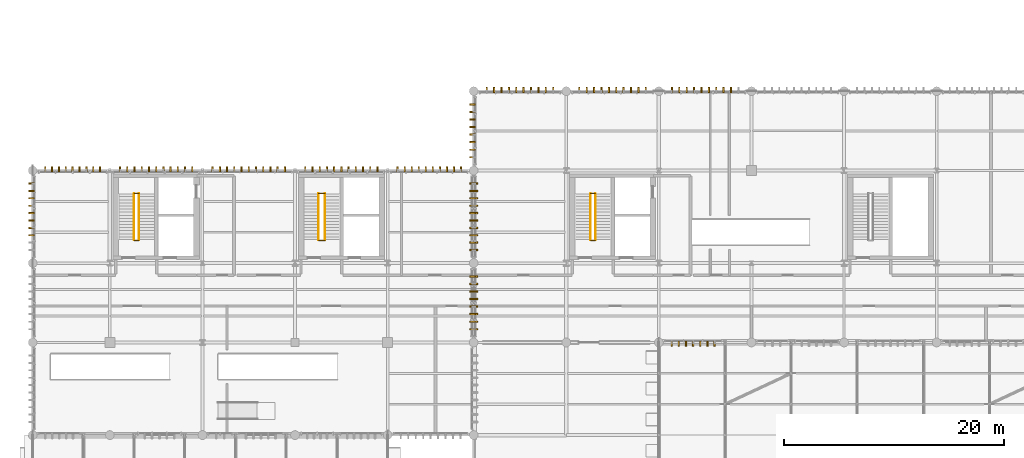
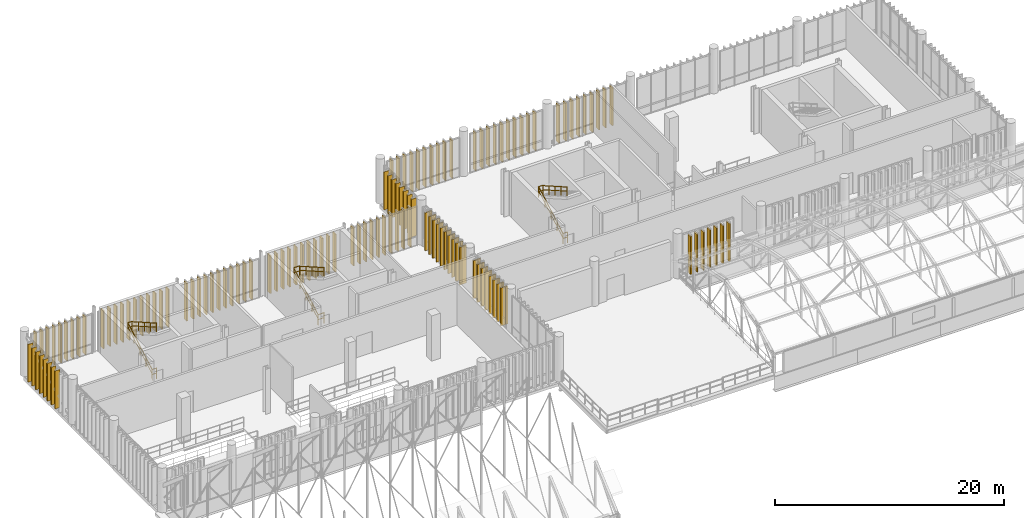
# One storey, part 102 of 109: 140 coverings, 12 railings.
"""IFC4 building model written with IfcOpenShell, lengths in metres."""

from ifc_helpers import new_model, si_unit, direction, frame, frame_2d, origin_with_axes, origin_2d_with_axis, place, context, subcontext, project, spatial, rectangle, circle, extrude, material, type_object, element, save


model = new_model("IFC4")

# Units and contexts
model_context = context("Model", 3, precision=1e-05, world=origin_with_axes(), true_north=direction((0.0, 1.0)))
body_context = subcontext(model_context, "Body", "Model", "MODEL_VIEW")
ifc_project = project(units=[si_unit("LENGTHUNIT", "METRE"), si_unit("AREAUNIT", "SQUARE_METRE"), si_unit("VOLUMEUNIT", "CUBIC_METRE"), si_unit("PLANEANGLEUNIT", "RADIAN"), si_unit("MASSUNIT", "GRAM", prefix="KILO"), si_unit("THERMODYNAMICTEMPERATUREUNIT", "KELVIN")], contexts=[model_context])

# Site, building, storey
site_placement = place(None, origin_with_axes())
site = spatial("IfcSite", under=ifc_project, at=site_placement, CompositionType="ELEMENT")
building_placement = place(site_placement, origin_with_axes())
building = spatial("IfcBuilding", under=site, at=building_placement, Name="Montbau Bow Law Courts", CompositionType="ELEMENT")
storey_placement = place(building_placement, frame((0.0, 0.0, 10.8), z_axis=(0.0, 0.0, 1.0), x_axis=(1.0, 0.0, 0.0)))
storey = spatial("IfcBuildingStorey", under=building, at=storey_placement, Name="L02", CompositionType="ELEMENT", Elevation=10.8)

# Coverings
ifc_material_1 = material(Name="Freeze-Thaw Glazed Warm Cream Ceramic Vertical Louvre", Category="masonry")
covering_type_1 = type_object("IfcCoveringType", Name="CV-LVR-CRM", PredefinedType="CLADDING", material=ifc_material_1)
for number, where, z_axis, x_axis, name in (
    (1, (64.764, 39.13, 10.8), (-1.0, 0.0, 0.0), (0.0, -1.0, 0.0), "CLV-L02-1417:cov_1462"),
    (2, (65.412, 39.13, 10.8), (-1.0, 0.0, 0.0), (0.0, -1.0, 0.0), "CLV-L02-1418:cov_1463"),
    (3, (66.061, 39.13, 10.8), (-1.0, 0.0, 0.0), (0.0, -1.0, 0.0), "CLV-L02-1419:cov_1464"),
    (4, (66.709, 39.13, 10.8), (-1.0, 0.0, 0.0), (0.0, -1.0, 0.0), "CLV-L02-1420:cov_1465"),
    (5, (67.358, 39.13, 10.8), (-1.0, 0.0, 0.0), (0.0, -1.0, 0.0), "CLV-L02-1421:cov_1466"),
    (6, (68.006, 39.13, 10.8), (-1.0, 0.0, 0.0), (0.0, -1.0, 0.0), "CLV-L02-1422:cov_1467"),
    (7, (68.655, 39.13, 10.8), (-1.0, 0.0, 0.0), (0.0, -1.0, 0.0), "CLV-L02-1423:cov_1468"),
    (8, (47.985, 61.67, 10.8), (1.0, 0.0, 0.0), (0.0, 1.0, 0.0), "CLV-L02-1447:cov_1492"),
    (9, (48.655, 61.67, 10.8), (1.0, 0.0, 0.0), (0.0, 1.0, 0.0), "CLV-L02-1448:cov_1493"),
    (10, (49.325, 61.67, 10.8), (1.0, 0.0, 0.0), (0.0, 1.0, 0.0), "CLV-L02-1449:cov_1494"),
    (11, (49.995, 61.67, 10.8), (1.0, 0.0, 0.0), (0.0, 1.0, 0.0), "CLV-L02-1450:cov_1495"),
    (12, (50.665, 61.67, 10.8), (1.0, 0.0, 0.0), (0.0, 1.0, 0.0), "CLV-L02-1451:cov_1496"),
    (13, (51.335, 61.67, 10.8), (1.0, 0.0, 0.0), (0.0, 1.0, 0.0), "CLV-L02-1452:cov_1497"),
    (14, (52.005, 61.67, 10.8), (1.0, 0.0, 0.0), (0.0, 1.0, 0.0), "CLV-L02-1453:cov_1498"),
    (15, (52.675, 61.67, 10.8), (1.0, 0.0, 0.0), (0.0, 1.0, 0.0), "CLV-L02-1454:cov_1499"),
    (16, (53.345, 61.67, 10.8), (1.0, 0.0, 0.0), (0.0, 1.0, 0.0), "CLV-L02-1455:cov_1500"),
    (17, (54.015, 61.67, 10.8), (1.0, 0.0, 0.0), (0.0, 1.0, 0.0), "CLV-L02-1456:cov_1501"),
    (18, (56.385, 61.67, 10.8), (1.0, 0.0, 0.0), (0.0, 1.0, 0.0), "CLV-L02-1457:cov_1502"),
    (19, (57.055, 61.67, 10.8), (1.0, 0.0, 0.0), (0.0, 1.0, 0.0), "CLV-L02-1458:cov_1503"),
    (20, (57.725, 61.67, 10.8), (1.0, 0.0, 0.0), (0.0, 1.0, 0.0), "CLV-L02-1459:cov_1504"),
    (21, (58.395, 61.67, 10.8), (1.0, 0.0, 0.0), (0.0, 1.0, 0.0), "CLV-L02-1460:cov_1505"),
    (22, (59.065, 61.67, 10.8), (1.0, 0.0, 0.0), (0.0, 1.0, 0.0), "CLV-L02-1461:cov_1506"),
    (23, (59.735, 61.67, 10.8), (1.0, 0.0, 0.0), (0.0, 1.0, 0.0), "CLV-L02-1462:cov_1507"),
    (24, (60.405, 61.67, 10.8), (1.0, 0.0, 0.0), (0.0, 1.0, 0.0), "CLV-L02-1463:cov_1508"),
    (25, (61.075, 61.67, 10.8), (1.0, 0.0, 0.0), (0.0, 1.0, 0.0), "CLV-L02-1464:cov_1509"),
    (26, (61.745, 61.67, 10.8), (1.0, 0.0, 0.0), (0.0, 1.0, 0.0), "CLV-L02-1465:cov_1510"),
    (27, (62.415, 61.67, 10.8), (1.0, 0.0, 0.0), (0.0, 1.0, 0.0), "CLV-L02-1466:cov_1511"),
    (28, (64.785, 61.67, 10.8), (1.0, 0.0, 0.0), (0.0, 1.0, 0.0), "CLV-L02-1467:cov_1512"),
    (29, (65.455, 61.67, 10.8), (1.0, 0.0, 0.0), (0.0, 1.0, 0.0), "CLV-L02-1468:cov_1513"),
    (30, (66.125, 61.67, 10.8), (1.0, 0.0, 0.0), (0.0, 1.0, 0.0), "CLV-L02-1469:cov_1514"),
    (31, (66.795, 61.67, 10.8), (1.0, 0.0, 0.0), (0.0, 1.0, 0.0), "CLV-L02-1470:cov_1515"),
    (32, (67.465, 61.67, 10.8), (1.0, 0.0, 0.0), (0.0, 1.0, 0.0), "CLV-L02-1471:cov_1516"),
    (33, (68.135, 61.67, 10.8), (1.0, 0.0, 0.0), (0.0, 1.0, 0.0), "CLV-L02-1472:cov_1517"),
    (34, (68.805, 61.67, 10.8), (1.0, 0.0, 0.0), (0.0, 1.0, 0.0), "CLV-L02-1473:cov_1518"),
    (35, (69.475, 61.67, 10.8), (1.0, 0.0, 0.0), (0.0, 1.0, 0.0), "CLV-L02-1474:cov_1519"),
    (36, (70.145, 61.67, 10.8), (1.0, 0.0, 0.0), (0.0, 1.0, 0.0), "CLV-L02-1475:cov_1520"),
    (37, (46.93, 40.201, 10.8), (0.0, 1.0, 0.0), (-1.0, 0.0, 0.0), "CLV-L02-1507:cov_1552"),
    (38, (46.93, 40.886, 10.8), (0.0, 1.0, 0.0), (-1.0, 0.0, 0.0), "CLV-L02-1508:cov_1553"),
    (39, (46.93, 41.572, 10.8), (0.0, 1.0, 0.0), (-1.0, 0.0, 0.0), "CLV-L02-1509:cov_1554"),
    (40, (46.93, 42.257, 10.8), (0.0, 1.0, 0.0), (-1.0, 0.0, 0.0), "CLV-L02-1510:cov_1555"),
    (41, (46.93, 42.943, 10.8), (0.0, 1.0, 0.0), (-1.0, 0.0, 0.0), "CLV-L02-1511:cov_1556"),
    (42, (46.93, 43.628, 10.8), (0.0, 1.0, 0.0), (-1.0, 0.0, 0.0), "CLV-L02-1512:cov_1557"),
    (43, (46.93, 44.314, 10.8), (0.0, 1.0, 0.0), (-1.0, 0.0, 0.0), "CLV-L02-1513:cov_1558"),
    (44, (46.93, 44.999, 10.8), (0.0, 1.0, 0.0), (-1.0, 0.0, 0.0), "CLV-L02-1514:cov_1559"),
    (45, (46.93, 47.385, 10.8), (0.0, 1.0, 0.0), (-1.0, 0.0, 0.0), "CLV-L02-1515:cov_1560"),
    (46, (46.93, 48.055, 10.8), (0.0, 1.0, 0.0), (-1.0, 0.0, 0.0), "CLV-L02-1516:cov_1561"),
    (47, (46.93, 48.725, 10.8), (0.0, 1.0, 0.0), (-1.0, 0.0, 0.0), "CLV-L02-1517:cov_1562"),
    (48, (46.93, 49.395, 10.8), (0.0, 1.0, 0.0), (-1.0, 0.0, 0.0), "CLV-L02-1518:cov_1563"),
    (49, (46.93, 50.065, 10.8), (0.0, 1.0, 0.0), (-1.0, 0.0, 0.0), "CLV-L02-1519:cov_1564"),
    (50, (46.93, 50.735, 10.8), (0.0, 1.0, 0.0), (-1.0, 0.0, 0.0), "CLV-L02-1520:cov_1565"),
    (51, (46.93, 51.405, 10.8), (0.0, 1.0, 0.0), (-1.0, 0.0, 0.0), "CLV-L02-1521:cov_1566"),
    (52, (46.93, 52.075, 10.8), (0.0, 1.0, 0.0), (-1.0, 0.0, 0.0), "CLV-L02-1522:cov_1567"),
    (53, (46.93, 52.745, 10.8), (0.0, 1.0, 0.0), (-1.0, 0.0, 0.0), "CLV-L02-1523:cov_1568"),
    (54, (46.93, 53.415, 10.8), (0.0, 1.0, 0.0), (-1.0, 0.0, 0.0), "CLV-L02-1524:cov_1569"),
    (55, (46.93, 55.801, 10.8), (0.0, 1.0, 0.0), (-1.0, 0.0, 0.0), "CLV-L02-1525:cov_1570"),
    (56, (46.93, 56.486, 10.8), (0.0, 1.0, 0.0), (-1.0, 0.0, 0.0), "CLV-L02-1526:cov_1571"),
    (57, (46.93, 57.172, 10.8), (0.0, 1.0, 0.0), (-1.0, 0.0, 0.0), "CLV-L02-1527:cov_1572"),
    (58, (46.93, 57.857, 10.8), (0.0, 1.0, 0.0), (-1.0, 0.0, 0.0), "CLV-L02-1528:cov_1573"),
    (59, (46.93, 58.543, 10.8), (0.0, 1.0, 0.0), (-1.0, 0.0, 0.0), "CLV-L02-1529:cov_1574"),
    (60, (46.93, 59.228, 10.8), (0.0, 1.0, 0.0), (-1.0, 0.0, 0.0), "CLV-L02-1530:cov_1575"),
    (61, (46.93, 59.914, 10.8), (0.0, 1.0, 0.0), (-1.0, 0.0, 0.0), "CLV-L02-1531:cov_1576"),
    (62, (46.93, 60.599, 10.8), (0.0, 1.0, 0.0), (-1.0, 0.0, 0.0), "CLV-L02-1532:cov_1577"),
):
    element("IfcCovering", number, at=place(None, frame(where, z_axis=z_axis, x_axis=x_axis)), inside=storey, type_object=covering_type_1, Name=name, PredefinedType="CLADDING", context=body_context, shape_type="SweptSolid", body=[
        extrude(rectangle(XDim=0.48, YDim=4.04, at=frame_2d((0.24, 2.02), x_axis=(1.0, 0.0))), frame((0.0, 0.0, -0.06), z_axis=(0.0, 0.0, 1.0), x_axis=(1.0, 0.0, 0.0)), (0.0, 0.0, 1.0), 0.12),
    ])
ifc_material_2 = material(Name="Freeze-Thaw Glazed Terracotta-Red Ceramic Vertical Louvre", Category="masonry")
covering_type_2 = type_object("IfcCoveringType", Name="CV-LVR-RED", PredefinedType="CLADDING", material=ifc_material_2)
for number, where, z_axis, x_axis, name in (
    (63, (7.937, 54.47, 10.8), (1.0, 0.0, 0.0), (0.0, 1.0, 0.0), "CLV-L02-0345:cov_0390"),
    (64, (8.559, 54.47, 10.8), (1.0, 0.0, 0.0), (0.0, 1.0, 0.0), "CLV-L02-0346:cov_0391"),
    (65, (9.18, 54.47, 10.8), (1.0, 0.0, 0.0), (0.0, 1.0, 0.0), "CLV-L02-0347:cov_0392"),
    (66, (9.802, 54.47, 10.8), (1.0, 0.0, 0.0), (0.0, 1.0, 0.0), "CLV-L02-0348:cov_0393"),
    (67, (10.424, 54.47, 10.8), (1.0, 0.0, 0.0), (0.0, 1.0, 0.0), "CLV-L02-0349:cov_0394"),
    (68, (11.046, 54.47, 10.8), (1.0, 0.0, 0.0), (0.0, 1.0, 0.0), "CLV-L02-0350:cov_0395"),
    (69, (11.668, 54.47, 10.8), (1.0, 0.0, 0.0), (0.0, 1.0, 0.0), "CLV-L02-0351:cov_0396"),
    (70, (12.289, 54.47, 10.8), (1.0, 0.0, 0.0), (0.0, 1.0, 0.0), "CLV-L02-0352:cov_0397"),
    (71, (12.911, 54.47, 10.8), (1.0, 0.0, 0.0), (0.0, 1.0, 0.0), "CLV-L02-0353:cov_0398"),
    (72, (14.723, 54.47, 10.8), (1.0, 0.0, 0.0), (0.0, 1.0, 0.0), "CLV-L02-0354:cov_0399"),
    (73, (15.379, 54.47, 10.8), (1.0, 0.0, 0.0), (0.0, 1.0, 0.0), "CLV-L02-0355:cov_0400"),
    (74, (16.034, 54.47, 10.8), (1.0, 0.0, 0.0), (0.0, 1.0, 0.0), "CLV-L02-0356:cov_0401"),
    (75, (16.69, 54.47, 10.8), (1.0, 0.0, 0.0), (0.0, 1.0, 0.0), "CLV-L02-0357:cov_0402"),
    (76, (17.345, 54.47, 10.8), (1.0, 0.0, 0.0), (0.0, 1.0, 0.0), "CLV-L02-0358:cov_0403"),
    (77, (18.001, 54.47, 10.8), (1.0, 0.0, 0.0), (0.0, 1.0, 0.0), "CLV-L02-0359:cov_0404"),
    (78, (18.656, 54.47, 10.8), (1.0, 0.0, 0.0), (0.0, 1.0, 0.0), "CLV-L02-0360:cov_0405"),
    (79, (19.311, 54.47, 10.8), (1.0, 0.0, 0.0), (0.0, 1.0, 0.0), "CLV-L02-0361:cov_0406"),
    (80, (19.967, 54.47, 10.8), (1.0, 0.0, 0.0), (0.0, 1.0, 0.0), "CLV-L02-0362:cov_0407"),
    (81, (20.622, 54.47, 10.8), (1.0, 0.0, 0.0), (0.0, 1.0, 0.0), "CLV-L02-0363:cov_0408"),
    (82, (21.278, 54.47, 10.8), (1.0, 0.0, 0.0), (0.0, 1.0, 0.0), "CLV-L02-0364:cov_0409"),
    (83, (23.122, 54.47, 10.8), (1.0, 0.0, 0.0), (0.0, 1.0, 0.0), "CLV-L02-0365:cov_0410"),
    (84, (23.778, 54.47, 10.8), (1.0, 0.0, 0.0), (0.0, 1.0, 0.0), "CLV-L02-0366:cov_0411"),
    (85, (24.433, 54.47, 10.8), (1.0, 0.0, 0.0), (0.0, 1.0, 0.0), "CLV-L02-0367:cov_0412"),
    (86, (25.089, 54.47, 10.8), (1.0, 0.0, 0.0), (0.0, 1.0, 0.0), "CLV-L02-0368:cov_0413"),
    (87, (25.744, 54.47, 10.8), (1.0, 0.0, 0.0), (0.0, 1.0, 0.0), "CLV-L02-0369:cov_0414"),
    (88, (26.4, 54.47, 10.8), (1.0, 0.0, 0.0), (0.0, 1.0, 0.0), "CLV-L02-0370:cov_0415"),
    (89, (27.055, 54.47, 10.8), (1.0, 0.0, 0.0), (0.0, 1.0, 0.0), "CLV-L02-0371:cov_0416"),
    (90, (27.711, 54.47, 10.8), (1.0, 0.0, 0.0), (0.0, 1.0, 0.0), "CLV-L02-0372:cov_0417"),
    (91, (28.366, 54.47, 10.8), (1.0, 0.0, 0.0), (0.0, 1.0, 0.0), "CLV-L02-0373:cov_0418"),
    (92, (29.022, 54.47, 10.8), (1.0, 0.0, 0.0), (0.0, 1.0, 0.0), "CLV-L02-0374:cov_0419"),
    (93, (29.677, 54.47, 10.8), (1.0, 0.0, 0.0), (0.0, 1.0, 0.0), "CLV-L02-0375:cov_0420"),
    (94, (31.522, 54.47, 10.8), (1.0, 0.0, 0.0), (0.0, 1.0, 0.0), "CLV-L02-0376:cov_0421"),
    (95, (32.178, 54.47, 10.8), (1.0, 0.0, 0.0), (0.0, 1.0, 0.0), "CLV-L02-0377:cov_0422"),
    (96, (32.833, 54.47, 10.8), (1.0, 0.0, 0.0), (0.0, 1.0, 0.0), "CLV-L02-0378:cov_0423"),
    (97, (33.489, 54.47, 10.8), (1.0, 0.0, 0.0), (0.0, 1.0, 0.0), "CLV-L02-0379:cov_0424"),
    (98, (34.144, 54.47, 10.8), (1.0, 0.0, 0.0), (0.0, 1.0, 0.0), "CLV-L02-0380:cov_0425"),
    (99, (34.799, 54.47, 10.8), (1.0, 0.0, 0.0), (0.0, 1.0, 0.0), "CLV-L02-0381:cov_0426"),
    (100, (35.455, 54.47, 10.8), (1.0, 0.0, 0.0), (0.0, 1.0, 0.0), "CLV-L02-0382:cov_0427"),
    (101, (36.11, 54.47, 10.8), (1.0, 0.0, 0.0), (0.0, 1.0, 0.0), "CLV-L02-0383:cov_0428"),
    (102, (36.766, 54.47, 10.8), (1.0, 0.0, 0.0), (0.0, 1.0, 0.0), "CLV-L02-0384:cov_0429"),
    (103, (37.421, 54.47, 10.8), (1.0, 0.0, 0.0), (0.0, 1.0, 0.0), "CLV-L02-0385:cov_0430"),
    (104, (38.077, 54.47, 10.8), (1.0, 0.0, 0.0), (0.0, 1.0, 0.0), "CLV-L02-0386:cov_0431"),
    (105, (39.906, 54.47, 10.8), (1.0, 0.0, 0.0), (0.0, 1.0, 0.0), "CLV-L02-0387:cov_0432"),
    (106, (40.544, 54.47, 10.8), (1.0, 0.0, 0.0), (0.0, 1.0, 0.0), "CLV-L02-0388:cov_0433"),
    (107, (41.182, 54.47, 10.8), (1.0, 0.0, 0.0), (0.0, 1.0, 0.0), "CLV-L02-0389:cov_0434"),
    (108, (41.82, 54.47, 10.8), (1.0, 0.0, 0.0), (0.0, 1.0, 0.0), "CLV-L02-0390:cov_0435"),
    (109, (42.458, 54.47, 10.8), (1.0, 0.0, 0.0), (0.0, 1.0, 0.0), "CLV-L02-0391:cov_0436"),
    (110, (43.095, 54.47, 10.8), (1.0, 0.0, 0.0), (0.0, 1.0, 0.0), "CLV-L02-0392:cov_0437"),
    (111, (43.733, 54.47, 10.8), (1.0, 0.0, 0.0), (0.0, 1.0, 0.0), "CLV-L02-0393:cov_0438"),
    (112, (44.371, 54.47, 10.8), (1.0, 0.0, 0.0), (0.0, 1.0, 0.0), "CLV-L02-0394:cov_0439"),
    (113, (45.009, 54.47, 10.8), (1.0, 0.0, 0.0), (0.0, 1.0, 0.0), "CLV-L02-0395:cov_0440"),
    (114, (45.647, 54.47, 10.8), (1.0, 0.0, 0.0), (0.0, 1.0, 0.0), "CLV-L02-0396:cov_0441"),
    (115, (6.93, 48.725, 10.8), (0.0, 1.0, 0.0), (-1.0, 0.0, 0.0), "CLV-L02-0417:cov_0462"),
    (116, (6.93, 49.395, 10.8), (0.0, 1.0, 0.0), (-1.0, 0.0, 0.0), "CLV-L02-0418:cov_0463"),
    (117, (6.93, 50.065, 10.8), (0.0, 1.0, 0.0), (-1.0, 0.0, 0.0), "CLV-L02-0419:cov_0464"),
    (118, (6.93, 50.735, 10.8), (0.0, 1.0, 0.0), (-1.0, 0.0, 0.0), "CLV-L02-0420:cov_0465"),
    (119, (6.93, 51.405, 10.8), (0.0, 1.0, 0.0), (-1.0, 0.0, 0.0), "CLV-L02-0421:cov_0466"),
    (120, (6.93, 52.075, 10.8), (0.0, 1.0, 0.0), (-1.0, 0.0, 0.0), "CLV-L02-0422:cov_0467"),
    (121, (6.93, 52.745, 10.8), (0.0, 1.0, 0.0), (-1.0, 0.0, 0.0), "CLV-L02-0423:cov_0468"),
    (122, (6.93, 53.415, 10.8), (0.0, 1.0, 0.0), (-1.0, 0.0, 0.0), "CLV-L02-0424:cov_0469"),
    (123, (46.67, 40.201, 10.8), (0.0, -1.0, 0.0), (1.0, 0.0, 0.0), "CLV-L02-0435:cov_0480"),
    (124, (46.67, 40.886, 10.8), (0.0, -1.0, 0.0), (1.0, 0.0, 0.0), "CLV-L02-0436:cov_0481"),
    (125, (46.67, 41.572, 10.8), (0.0, -1.0, 0.0), (1.0, 0.0, 0.0), "CLV-L02-0437:cov_0482"),
    (126, (46.67, 42.257, 10.8), (0.0, -1.0, 0.0), (1.0, 0.0, 0.0), "CLV-L02-0438:cov_0483"),
    (127, (46.67, 42.943, 10.8), (0.0, -1.0, 0.0), (1.0, 0.0, 0.0), "CLV-L02-0439:cov_0484"),
    (128, (46.67, 43.628, 10.8), (0.0, -1.0, 0.0), (1.0, 0.0, 0.0), "CLV-L02-0440:cov_0485"),
    (129, (46.67, 44.314, 10.8), (0.0, -1.0, 0.0), (1.0, 0.0, 0.0), "CLV-L02-0441:cov_0486"),
    (130, (46.67, 44.999, 10.8), (0.0, -1.0, 0.0), (1.0, 0.0, 0.0), "CLV-L02-0442:cov_0487"),
    (131, (46.67, 47.385, 10.8), (0.0, -1.0, 0.0), (1.0, 0.0, 0.0), "CLV-L02-0443:cov_0488"),
    (132, (46.67, 48.055, 10.8), (0.0, -1.0, 0.0), (1.0, 0.0, 0.0), "CLV-L02-0444:cov_0489"),
    (133, (46.67, 48.725, 10.8), (0.0, -1.0, 0.0), (1.0, 0.0, 0.0), "CLV-L02-0445:cov_0490"),
    (134, (46.67, 49.395, 10.8), (0.0, -1.0, 0.0), (1.0, 0.0, 0.0), "CLV-L02-0446:cov_0491"),
    (135, (46.67, 50.065, 10.8), (0.0, -1.0, 0.0), (1.0, 0.0, 0.0), "CLV-L02-0447:cov_0492"),
    (136, (46.67, 50.735, 10.8), (0.0, -1.0, 0.0), (1.0, 0.0, 0.0), "CLV-L02-0448:cov_0493"),
    (137, (46.67, 51.405, 10.8), (0.0, -1.0, 0.0), (1.0, 0.0, 0.0), "CLV-L02-0449:cov_0494"),
    (138, (46.67, 52.075, 10.8), (0.0, -1.0, 0.0), (1.0, 0.0, 0.0), "CLV-L02-0450:cov_0495"),
    (139, (46.67, 52.745, 10.8), (0.0, -1.0, 0.0), (1.0, 0.0, 0.0), "CLV-L02-0451:cov_0496"),
    (140, (46.67, 53.415, 10.8), (0.0, -1.0, 0.0), (1.0, 0.0, 0.0), "CLV-L02-0452:cov_0497"),
):
    element("IfcCovering", number, at=place(None, frame(where, z_axis=z_axis, x_axis=x_axis)), inside=storey, type_object=covering_type_2, Name=name, PredefinedType="CLADDING", context=body_context, shape_type="SweptSolid", body=[
        extrude(rectangle(XDim=0.48, YDim=4.04, at=frame_2d((0.24, 2.02), x_axis=(1.0, 0.0))), frame((0.0, 0.0, -0.06), z_axis=(0.0, 0.0, 1.0), x_axis=(1.0, 0.0, 0.0)), (0.0, 0.0, 1.0), 0.12),
    ])

# Railings
ifc_material_3 = material(Name="Architectural Bronze-Finished Steel Stair Guard", Category="steel")
railing_type_1 = type_object("IfcRailingType", Name="RL-GRD-1100", PredefinedType="GUARDRAIL", material=ifc_material_3)
railing_1_placement = place(None, origin_with_axes())
element("IfcRailing", 141, at=railing_1_placement, inside=storey, type_object=railing_type_1, Name="SG-ST-P1-L02-ML:rlg_0044", PredefinedType="GUARDRAIL", context=body_context, shape_type="SweptSolid", body=[
    extrude(circle(Radius=0.0225, at=origin_2d_with_axis()), frame((16.01, 52.53, 14.302), z_axis=(1.0, 0.0, 0.0), x_axis=(0.0, 0.0, 1.0)), (0.0, 0.0, 1.0), 0.43),
    extrude(circle(Radius=0.02025, at=origin_2d_with_axis()), frame((16.01, 52.53, 13.772), z_axis=(1.0, 0.0, 0.0), x_axis=(0.0, 0.0, 1.0)), (0.0, 0.0, 1.0), 0.43),
    extrude(circle(Radius=0.02025, at=origin_2d_with_axis()), frame((16.01, 52.53, 13.2), z_axis=(0.0, 0.0, 1.0), x_axis=(1.0, 0.0, 0.0)), (0.0, 0.0, 1.0), 1.07525),
    extrude(circle(Radius=0.02025, at=origin_2d_with_axis()), frame((16.44, 52.53, 13.2), z_axis=(0.0, 0.0, 1.0), x_axis=(1.0, 0.0, 0.0)), (0.0, 0.0, 1.0), 1.07525),
])
railing_2_placement = place(None, origin_with_axes())
element("IfcRailing", 142, at=railing_2_placement, inside=storey, type_object=railing_type_1, Name="SG-ST-P1-L02-BL:rlg_0045", PredefinedType="GUARDRAIL", context=body_context, shape_type="SweptSolid", body=[
    extrude(circle(Radius=0.0225, at=origin_2d_with_axis()), frame((16.01, 48.27, 11.902), z_axis=(1.0, 0.0, 0.0), x_axis=(0.0, 0.0, 1.0)), (0.0, 0.0, 1.0), 0.43),
    extrude(circle(Radius=0.02025, at=origin_2d_with_axis()), frame((16.01, 48.27, 11.372), z_axis=(1.0, 0.0, 0.0), x_axis=(0.0, 0.0, 1.0)), (0.0, 0.0, 1.0), 0.43),
    extrude(circle(Radius=0.02025, at=origin_2d_with_axis()), frame((16.01, 48.27, 10.8), z_axis=(0.0, 0.0, 1.0), x_axis=(1.0, 0.0, 0.0)), (0.0, 0.0, 1.0), 1.07525),
    extrude(circle(Radius=0.02025, at=origin_2d_with_axis()), frame((16.44, 48.27, 10.8), z_axis=(0.0, 0.0, 1.0), x_axis=(1.0, 0.0, 0.0)), (0.0, 0.0, 1.0), 1.07525),
])
railing_3_placement = place(None, origin_with_axes())
element("IfcRailing", 143, at=railing_3_placement, inside=storey, type_object=railing_type_1, Name="SG-ST-J1-L02-ML:rlg_0076", PredefinedType="GUARDRAIL", context=body_context, shape_type="SweptSolid", body=[
    extrude(circle(Radius=0.0225, at=origin_2d_with_axis()), frame((32.73, 52.53, 14.302), z_axis=(1.0, 0.0, 0.0), x_axis=(0.0, 0.0, 1.0)), (0.0, 0.0, 1.0), 0.59),
    extrude(circle(Radius=0.02025, at=origin_2d_with_axis()), frame((32.73, 52.53, 13.772), z_axis=(1.0, 0.0, 0.0), x_axis=(0.0, 0.0, 1.0)), (0.0, 0.0, 1.0), 0.59),
    extrude(circle(Radius=0.02025, at=origin_2d_with_axis()), frame((32.73, 52.53, 13.2), z_axis=(0.0, 0.0, 1.0), x_axis=(1.0, 0.0, 0.0)), (0.0, 0.0, 1.0), 1.07525),
    extrude(circle(Radius=0.02025, at=origin_2d_with_axis()), frame((33.32, 52.53, 13.2), z_axis=(0.0, 0.0, 1.0), x_axis=(1.0, 0.0, 0.0)), (0.0, 0.0, 1.0), 1.07525),
])
railing_4_placement = place(None, origin_with_axes())
element("IfcRailing", 144, at=railing_4_placement, inside=storey, type_object=railing_type_1, Name="SG-ST-J1-L02-BL:rlg_0077", PredefinedType="GUARDRAIL", context=body_context, shape_type="SweptSolid", body=[
    extrude(circle(Radius=0.0225, at=origin_2d_with_axis()), frame((32.73, 48.27, 11.902), z_axis=(1.0, 0.0, 0.0), x_axis=(0.0, 0.0, 1.0)), (0.0, 0.0, 1.0), 0.59),
    extrude(circle(Radius=0.02025, at=origin_2d_with_axis()), frame((32.73, 48.27, 11.372), z_axis=(1.0, 0.0, 0.0), x_axis=(0.0, 0.0, 1.0)), (0.0, 0.0, 1.0), 0.59),
    extrude(circle(Radius=0.02025, at=origin_2d_with_axis()), frame((32.73, 48.27, 10.8), z_axis=(0.0, 0.0, 1.0), x_axis=(1.0, 0.0, 0.0)), (0.0, 0.0, 1.0), 1.07525),
    extrude(circle(Radius=0.02025, at=origin_2d_with_axis()), frame((33.32, 48.27, 10.8), z_axis=(0.0, 0.0, 1.0), x_axis=(1.0, 0.0, 0.0)), (0.0, 0.0, 1.0), 1.07525),
])
railing_5_placement = place(None, origin_with_axes())
element("IfcRailing", 145, at=railing_5_placement, inside=storey, type_object=railing_type_1, Name="SG-ST-P4-L02-ML:rlg_0108", PredefinedType="GUARDRAIL", context=body_context, shape_type="SweptSolid", body=[
    extrude(circle(Radius=0.0225, at=origin_2d_with_axis()), frame((57.41, 52.53, 14.302), z_axis=(1.0, 0.0, 0.0), x_axis=(0.0, 0.0, 1.0)), (0.0, 0.0, 1.0), 0.43),
    extrude(circle(Radius=0.02025, at=origin_2d_with_axis()), frame((57.41, 52.53, 13.772), z_axis=(1.0, 0.0, 0.0), x_axis=(0.0, 0.0, 1.0)), (0.0, 0.0, 1.0), 0.43),
    extrude(circle(Radius=0.02025, at=origin_2d_with_axis()), frame((57.41, 52.53, 13.2), z_axis=(0.0, 0.0, 1.0), x_axis=(1.0, 0.0, 0.0)), (0.0, 0.0, 1.0), 1.07525),
    extrude(circle(Radius=0.02025, at=origin_2d_with_axis()), frame((57.84, 52.53, 13.2), z_axis=(0.0, 0.0, 1.0), x_axis=(1.0, 0.0, 0.0)), (0.0, 0.0, 1.0), 1.07525),
])
railing_6_placement = place(None, origin_with_axes())
element("IfcRailing", 146, at=railing_6_placement, inside=storey, type_object=railing_type_1, Name="SG-ST-P4-L02-BL:rlg_0109", PredefinedType="GUARDRAIL", context=body_context, shape_type="SweptSolid", body=[
    extrude(circle(Radius=0.0225, at=origin_2d_with_axis()), frame((57.41, 48.27, 11.902), z_axis=(1.0, 0.0, 0.0), x_axis=(0.0, 0.0, 1.0)), (0.0, 0.0, 1.0), 0.43),
    extrude(circle(Radius=0.02025, at=origin_2d_with_axis()), frame((57.41, 48.27, 11.372), z_axis=(1.0, 0.0, 0.0), x_axis=(0.0, 0.0, 1.0)), (0.0, 0.0, 1.0), 0.43),
    extrude(circle(Radius=0.02025, at=origin_2d_with_axis()), frame((57.41, 48.27, 10.8), z_axis=(0.0, 0.0, 1.0), x_axis=(1.0, 0.0, 0.0)), (0.0, 0.0, 1.0), 1.07525),
    extrude(circle(Radius=0.02025, at=origin_2d_with_axis()), frame((57.84, 48.27, 10.8), z_axis=(0.0, 0.0, 1.0), x_axis=(1.0, 0.0, 0.0)), (0.0, 0.0, 1.0), 1.07525),
])
ifc_material_4 = material(Name="White-Oak and Stainless Continuous Stair Handrail", Category="steel")
railing_type_2 = type_object("IfcRailingType", Name="RL-HND-0920", PredefinedType="HANDRAIL", material=ifc_material_4)
railing_7_placement = place(None, origin_with_axes())
element("IfcRailing", 147, at=railing_7_placement, inside=storey, type_object=railing_type_2, Name="HR-ST-P1-L02-1:rlg_0046", PredefinedType="HANDRAIL", context=body_context, shape_type="SweptSolid", body=[
    extrude(circle(Radius=0.021, at=origin_2d_with_axis()), frame((16.01, 48.3, 11.882), z_axis=(0.0, 0.868243142, 0.496138938), x_axis=(0.0, -0.496138938, 0.868243142)), (0.0, 0.0, 1.0), 4.837355),
    extrude(circle(Radius=0.0189, at=origin_2d_with_axis()), frame((16.01, 48.3, 11.4384), z_axis=(0.0, 0.868243142, 0.496138938), x_axis=(0.0, -0.496138938, 0.868243142)), (0.0, 0.0, 1.0), 4.837355),
    extrude(circle(Radius=0.0189, at=origin_2d_with_axis()), frame((16.01, 48.3, 10.96), z_axis=(0.0, 0.0, 1.0), x_axis=(1.0, 0.0, 0.0)), (0.0, 0.0, 1.0), 0.8969),
    extrude(circle(Radius=0.0189, at=origin_2d_with_axis()), frame((16.01, 49.35, 11.56), z_axis=(0.0, 0.0, 1.0), x_axis=(1.0, 0.0, 0.0)), (0.0, 0.0, 1.0), 0.8969),
    extrude(circle(Radius=0.0189, at=origin_2d_with_axis()), frame((16.01, 50.4, 12.16), z_axis=(0.0, 0.0, 1.0), x_axis=(1.0, 0.0, 0.0)), (0.0, 0.0, 1.0), 0.8969),
    extrude(circle(Radius=0.0189, at=origin_2d_with_axis()), frame((16.01, 51.45, 12.76), z_axis=(0.0, 0.0, 1.0), x_axis=(1.0, 0.0, 0.0)), (0.0, 0.0, 1.0), 0.8969),
    extrude(circle(Radius=0.0189, at=origin_2d_with_axis()), frame((16.01, 52.5, 13.36), z_axis=(0.0, 0.0, 1.0), x_axis=(1.0, 0.0, 0.0)), (0.0, 0.0, 1.0), 0.8969),
])
railing_8_placement = place(None, origin_with_axes())
element("IfcRailing", 148, at=railing_8_placement, inside=storey, type_object=railing_type_2, Name="HR-ST-P1-L02-2:rlg_0047", PredefinedType="HANDRAIL", context=body_context, shape_type="SweptSolid", body=[
    extrude(circle(Radius=0.021, at=origin_2d_with_axis()), frame((16.44, 52.5, 14.282), z_axis=(0.0, -0.868243142, 0.496138938), x_axis=(0.0, 0.496138938, 0.868243142)), (0.0, 0.0, 1.0), 4.837355),
    extrude(circle(Radius=0.0189, at=origin_2d_with_axis()), frame((16.44, 52.5, 13.8384), z_axis=(0.0, -0.868243142, 0.496138938), x_axis=(0.0, 0.496138938, 0.868243142)), (0.0, 0.0, 1.0), 4.837355),
    extrude(circle(Radius=0.0189, at=origin_2d_with_axis()), frame((16.44, 52.5, 13.36), z_axis=(0.0, 0.0, 1.0), x_axis=(1.0, 0.0, 0.0)), (0.0, 0.0, 1.0), 0.8969),
    extrude(circle(Radius=0.0189, at=origin_2d_with_axis()), frame((16.44, 51.45, 13.96), z_axis=(0.0, 0.0, 1.0), x_axis=(1.0, 0.0, 0.0)), (0.0, 0.0, 1.0), 0.8969),
    extrude(circle(Radius=0.0189, at=origin_2d_with_axis()), frame((16.44, 50.4, 14.56), z_axis=(0.0, 0.0, 1.0), x_axis=(1.0, 0.0, 0.0)), (0.0, 0.0, 1.0), 0.8969),
    extrude(circle(Radius=0.0189, at=origin_2d_with_axis()), frame((16.44, 49.35, 15.16), z_axis=(0.0, 0.0, 1.0), x_axis=(1.0, 0.0, 0.0)), (0.0, 0.0, 1.0), 0.8969),
    extrude(circle(Radius=0.0189, at=origin_2d_with_axis()), frame((16.44, 48.3, 15.76), z_axis=(0.0, 0.0, 1.0), x_axis=(1.0, 0.0, 0.0)), (0.0, 0.0, 1.0), 0.8969),
])
railing_9_placement = place(None, origin_with_axes())
element("IfcRailing", 149, at=railing_9_placement, inside=storey, type_object=railing_type_2, Name="HR-ST-J1-L02-1:rlg_0078", PredefinedType="HANDRAIL", context=body_context, shape_type="SweptSolid", body=[
    extrude(circle(Radius=0.021, at=origin_2d_with_axis()), frame((32.73, 48.3, 11.882), z_axis=(0.0, 0.868243142, 0.496138938), x_axis=(0.0, -0.496138938, 0.868243142)), (0.0, 0.0, 1.0), 4.837355),
    extrude(circle(Radius=0.0189, at=origin_2d_with_axis()), frame((32.73, 48.3, 11.4384), z_axis=(0.0, 0.868243142, 0.496138938), x_axis=(0.0, -0.496138938, 0.868243142)), (0.0, 0.0, 1.0), 4.837355),
    extrude(circle(Radius=0.0189, at=origin_2d_with_axis()), frame((32.73, 48.3, 10.96), z_axis=(0.0, 0.0, 1.0), x_axis=(1.0, 0.0, 0.0)), (0.0, 0.0, 1.0), 0.8969),
    extrude(circle(Radius=0.0189, at=origin_2d_with_axis()), frame((32.73, 49.35, 11.56), z_axis=(0.0, 0.0, 1.0), x_axis=(1.0, 0.0, 0.0)), (0.0, 0.0, 1.0), 0.8969),
    extrude(circle(Radius=0.0189, at=origin_2d_with_axis()), frame((32.73, 50.4, 12.16), z_axis=(0.0, 0.0, 1.0), x_axis=(1.0, 0.0, 0.0)), (0.0, 0.0, 1.0), 0.8969),
    extrude(circle(Radius=0.0189, at=origin_2d_with_axis()), frame((32.73, 51.45, 12.76), z_axis=(0.0, 0.0, 1.0), x_axis=(1.0, 0.0, 0.0)), (0.0, 0.0, 1.0), 0.8969),
    extrude(circle(Radius=0.0189, at=origin_2d_with_axis()), frame((32.73, 52.5, 13.36), z_axis=(0.0, 0.0, 1.0), x_axis=(1.0, 0.0, 0.0)), (0.0, 0.0, 1.0), 0.8969),
])
railing_10_placement = place(None, origin_with_axes())
element("IfcRailing", 150, at=railing_10_placement, inside=storey, type_object=railing_type_2, Name="HR-ST-J1-L02-2:rlg_0079", PredefinedType="HANDRAIL", context=body_context, shape_type="SweptSolid", body=[
    extrude(circle(Radius=0.021, at=origin_2d_with_axis()), frame((33.32, 52.5, 14.282), z_axis=(0.0, -0.868243142, 0.496138938), x_axis=(0.0, 0.496138938, 0.868243142)), (0.0, 0.0, 1.0), 4.837355),
    extrude(circle(Radius=0.0189, at=origin_2d_with_axis()), frame((33.32, 52.5, 13.8384), z_axis=(0.0, -0.868243142, 0.496138938), x_axis=(0.0, 0.496138938, 0.868243142)), (0.0, 0.0, 1.0), 4.837355),
    extrude(circle(Radius=0.0189, at=origin_2d_with_axis()), frame((33.32, 52.5, 13.36), z_axis=(0.0, 0.0, 1.0), x_axis=(1.0, 0.0, 0.0)), (0.0, 0.0, 1.0), 0.8969),
    extrude(circle(Radius=0.0189, at=origin_2d_with_axis()), frame((33.32, 51.45, 13.96), z_axis=(0.0, 0.0, 1.0), x_axis=(1.0, 0.0, 0.0)), (0.0, 0.0, 1.0), 0.8969),
    extrude(circle(Radius=0.0189, at=origin_2d_with_axis()), frame((33.32, 50.4, 14.56), z_axis=(0.0, 0.0, 1.0), x_axis=(1.0, 0.0, 0.0)), (0.0, 0.0, 1.0), 0.8969),
    extrude(circle(Radius=0.0189, at=origin_2d_with_axis()), frame((33.32, 49.35, 15.16), z_axis=(0.0, 0.0, 1.0), x_axis=(1.0, 0.0, 0.0)), (0.0, 0.0, 1.0), 0.8969),
    extrude(circle(Radius=0.0189, at=origin_2d_with_axis()), frame((33.32, 48.3, 15.76), z_axis=(0.0, 0.0, 1.0), x_axis=(1.0, 0.0, 0.0)), (0.0, 0.0, 1.0), 0.8969),
])
railing_11_placement = place(None, origin_with_axes())
element("IfcRailing", 151, at=railing_11_placement, inside=storey, type_object=railing_type_2, Name="HR-ST-P4-L02-1:rlg_0110", PredefinedType="HANDRAIL", context=body_context, shape_type="SweptSolid", body=[
    extrude(circle(Radius=0.021, at=origin_2d_with_axis()), frame((57.41, 48.3, 11.882), z_axis=(0.0, 0.868243142, 0.496138938), x_axis=(0.0, -0.496138938, 0.868243142)), (0.0, 0.0, 1.0), 4.837355),
    extrude(circle(Radius=0.0189, at=origin_2d_with_axis()), frame((57.41, 48.3, 11.4384), z_axis=(0.0, 0.868243142, 0.496138938), x_axis=(0.0, -0.496138938, 0.868243142)), (0.0, 0.0, 1.0), 4.837355),
    extrude(circle(Radius=0.0189, at=origin_2d_with_axis()), frame((57.41, 48.3, 10.96), z_axis=(0.0, 0.0, 1.0), x_axis=(1.0, 0.0, 0.0)), (0.0, 0.0, 1.0), 0.8969),
    extrude(circle(Radius=0.0189, at=origin_2d_with_axis()), frame((57.41, 49.35, 11.56), z_axis=(0.0, 0.0, 1.0), x_axis=(1.0, 0.0, 0.0)), (0.0, 0.0, 1.0), 0.8969),
    extrude(circle(Radius=0.0189, at=origin_2d_with_axis()), frame((57.41, 50.4, 12.16), z_axis=(0.0, 0.0, 1.0), x_axis=(1.0, 0.0, 0.0)), (0.0, 0.0, 1.0), 0.8969),
    extrude(circle(Radius=0.0189, at=origin_2d_with_axis()), frame((57.41, 51.45, 12.76), z_axis=(0.0, 0.0, 1.0), x_axis=(1.0, 0.0, 0.0)), (0.0, 0.0, 1.0), 0.8969),
    extrude(circle(Radius=0.0189, at=origin_2d_with_axis()), frame((57.41, 52.5, 13.36), z_axis=(0.0, 0.0, 1.0), x_axis=(1.0, 0.0, 0.0)), (0.0, 0.0, 1.0), 0.8969),
])
railing_12_placement = place(None, origin_with_axes())
element("IfcRailing", 152, at=railing_12_placement, inside=storey, type_object=railing_type_2, Name="HR-ST-P4-L02-2:rlg_0111", PredefinedType="HANDRAIL", context=body_context, shape_type="SweptSolid", body=[
    extrude(circle(Radius=0.021, at=origin_2d_with_axis()), frame((57.84, 52.5, 14.282), z_axis=(0.0, -0.868243142, 0.496138938), x_axis=(0.0, 0.496138938, 0.868243142)), (0.0, 0.0, 1.0), 4.837355),
    extrude(circle(Radius=0.0189, at=origin_2d_with_axis()), frame((57.84, 52.5, 13.8384), z_axis=(0.0, -0.868243142, 0.496138938), x_axis=(0.0, 0.496138938, 0.868243142)), (0.0, 0.0, 1.0), 4.837355),
    extrude(circle(Radius=0.0189, at=origin_2d_with_axis()), frame((57.84, 52.5, 13.36), z_axis=(0.0, 0.0, 1.0), x_axis=(1.0, 0.0, 0.0)), (0.0, 0.0, 1.0), 0.8969),
    extrude(circle(Radius=0.0189, at=origin_2d_with_axis()), frame((57.84, 51.45, 13.96), z_axis=(0.0, 0.0, 1.0), x_axis=(1.0, 0.0, 0.0)), (0.0, 0.0, 1.0), 0.8969),
    extrude(circle(Radius=0.0189, at=origin_2d_with_axis()), frame((57.84, 50.4, 14.56), z_axis=(0.0, 0.0, 1.0), x_axis=(1.0, 0.0, 0.0)), (0.0, 0.0, 1.0), 0.8969),
    extrude(circle(Radius=0.0189, at=origin_2d_with_axis()), frame((57.84, 49.35, 15.16), z_axis=(0.0, 0.0, 1.0), x_axis=(1.0, 0.0, 0.0)), (0.0, 0.0, 1.0), 0.8969),
    extrude(circle(Radius=0.0189, at=origin_2d_with_axis()), frame((57.84, 48.3, 15.76), z_axis=(0.0, 0.0, 1.0), x_axis=(1.0, 0.0, 0.0)), (0.0, 0.0, 1.0), 0.8969),
])

save(model, "model.ifc")
